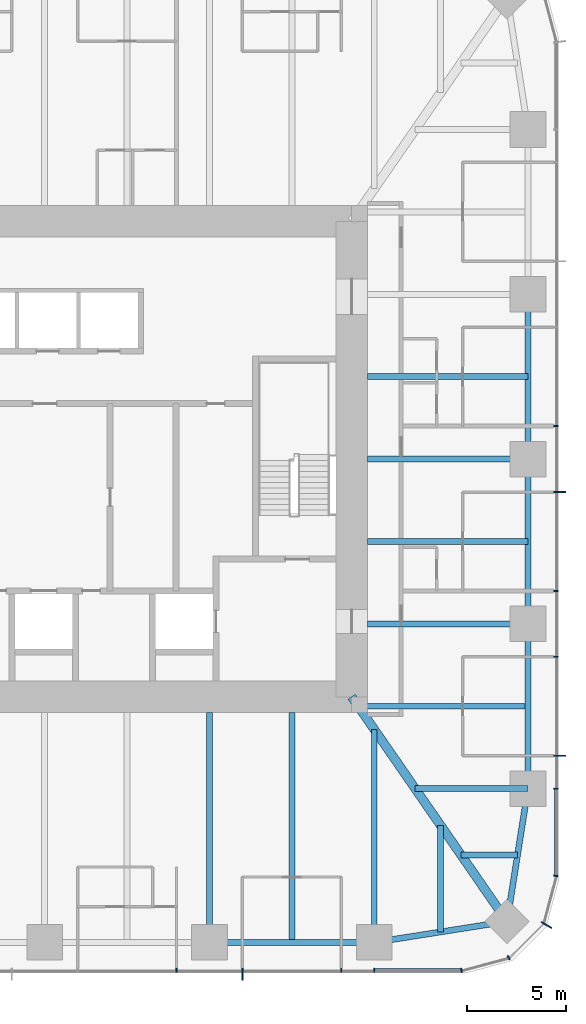
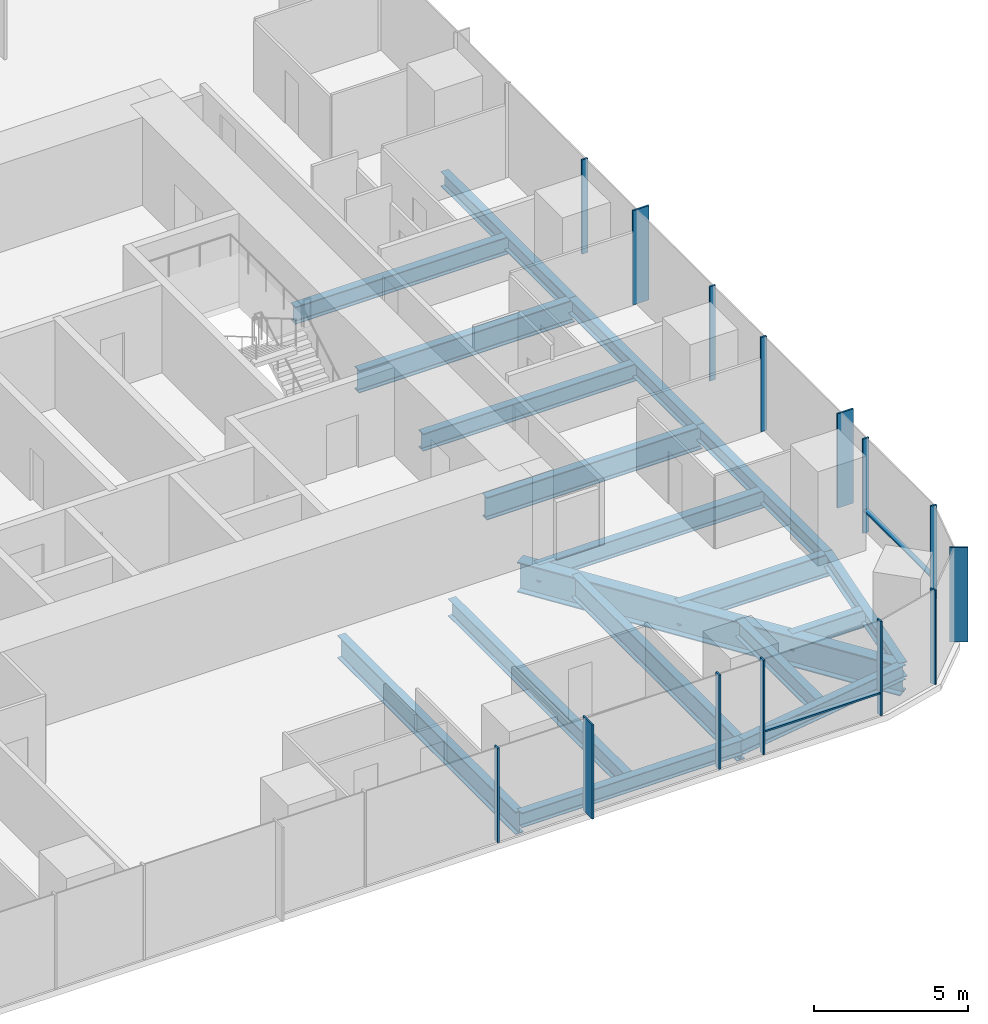
# One storey, part 4 of 12: 18 beams, 16 members, 3 elements without a shape of their own.
"""IFC4 building model written with IfcOpenShell, lengths in metres."""

from ifc_helpers import new_model, si_unit, direction, frame, origin, origin_2d, place, context, subcontext, project, spatial, rectangle, i_section, extrude, material, material_profile, profile_set, type_object, element, aggregate, save


model = new_model("IFC4")

# Units and contexts
model_context = context("Model", 3, precision=1e-05, world=origin(), true_north=direction((0.0, 1.0)))
body_context = subcontext(model_context, "Body", "Model", "MODEL_VIEW")
ifc_project = project(units=[si_unit("LENGTHUNIT", "METRE"), si_unit("AREAUNIT", "SQUARE_METRE"), si_unit("VOLUMEUNIT", "CUBIC_METRE"), si_unit("PLANEANGLEUNIT", "RADIAN"), si_unit("MASSUNIT", "GRAM", prefix="KILO")], contexts=[model_context])

# Site, building, storey
site_placement = place(None, origin())
site = spatial("IfcSite", under=ifc_project, at=site_placement, CompositionType="ELEMENT")
building_placement = place(site_placement, origin())
building = spatial("IfcBuilding", under=site, at=building_placement, Name="Khuree Lantern Residences", CompositionType="ELEMENT")
storey_placement = place(building_placement, frame((0.0, 0.0, 244.5)))
storey = spatial("IfcBuildingStorey", under=building, at=storey_placement, Name="L61", CompositionType="ELEMENT", Elevation=244.5)

# Beams
ifc_material_1 = material(Name="Steel S355", Category="steel")
ifc_material_profile_1 = material_profile(ifc_material_1, i_section(OverallWidth=0.300048828125, OverallDepth=0.68994140625, WebThickness=0.014404296875, FlangeThickness=0.027099609375, FilletRadius=0.027099609375, at=origin_2d()), Name="HE 700 A")
ifc_profile_set_1 = profile_set([ifc_material_profile_1], Name="Steel S355")
beam_type_1 = type_object("IfcBeamType", Name="B-34 SECONDARY BEAM HE 700 A", PredefinedType="BEAM", material=ifc_profile_set_1)
for number, where, z_axis, x_axis, name in (
    (1, (24.39990234375, 4.159912109375, -0.594970703125), (-1.0, 0.0, 0.0), (0.0, -1.0, 0.0), "Secondary beam E3"),
    (2, (24.39990234375, -4.159912109375, -0.594970703125), (-1.0, 0.0, 0.0), (0.0, -1.0, 0.0), "Secondary beam E4"),
):
    element("IfcBeam", number, at=place(storey_placement, frame(where, z_axis=z_axis, x_axis=x_axis)), inside=storey, type_object=beam_type_1, Name=name, PredefinedType="BEAM", context=body_context, shape_type="SweptSolid", body=[
        extrude(i_section(OverallWidth=0.300048828125, OverallDepth=0.68994140625, WebThickness=0.014404296875, FlangeThickness=0.027099609375, FilletRadius=0.027099609375, at=origin_2d()), origin(), (0.0, 0.0, 1.0), 8.099853515625),
    ])
beam_1_placement = place(storey_placement, frame((24.39990234375, -12.47998046875, -0.594970703125), z_axis=(-1.0, 0.0, 0.0), x_axis=(0.0, -1.0, 0.0)))
element("IfcBeam", 3, at=beam_1_placement, inside=storey, type_object=beam_type_1, Name="Secondary beam E5", PredefinedType="BEAM", context=body_context, shape_type="SweptSolid", body=[
    extrude(i_section(OverallWidth=0.300048828125, OverallDepth=0.68994140625, WebThickness=0.014404296875, FlangeThickness=0.027099609375, FilletRadius=0.027099609375, at=origin_2d()), origin(), (0.0, 0.0, 1.0), 8.56787109375),
])
beam_2_placement = place(storey_placement, frame((23.872802734375, -19.992919921875, -0.594970703125), z_axis=(-1.0, 0.0, 0.0), x_axis=(0.0, -1.0, 0.0)))
element("IfcBeam", 4, at=beam_2_placement, inside=storey, type_object=beam_type_1, Name="Secondary beam E6", PredefinedType="BEAM", context=body_context, shape_type="SweptSolid", body=[
    extrude(i_section(OverallWidth=0.300048828125, OverallDepth=0.68994140625, WebThickness=0.014404296875, FlangeThickness=0.027099609375, FilletRadius=0.027099609375, at=origin_2d()), origin(), (0.0, 0.0, 1.0), 2.845703125),
])
beam_3_placement = place(storey_placement, frame((19.992919921875, -23.872802734375, -0.594970703125), z_axis=(0.0, 1.0, 0.0), x_axis=(-1.0, 0.0, 0.0)))
element("IfcBeam", 5, at=beam_3_placement, inside=storey, type_object=beam_type_1, Name="Secondary beam S1", PredefinedType="BEAM", context=body_context, shape_type="SweptSolid", body=[
    extrude(i_section(OverallWidth=0.300048828125, OverallDepth=0.68994140625, WebThickness=0.014404296875, FlangeThickness=0.027099609375, FilletRadius=0.027099609375, at=origin_2d()), origin(), (0.0, 0.0, 1.0), 5.375732421875),
])
beam_4_placement = place(storey_placement, frame((12.47998046875, -24.39990234375, -0.594970703125), z_axis=(0.0, 1.0, 0.0), x_axis=(-1.0, 0.0, 0.0)))
element("IfcBeam", 6, at=beam_4_placement, inside=storey, type_object=beam_type_1, Name="Secondary beam S2", PredefinedType="BEAM", context=body_context, shape_type="SweptSolid", body=[
    extrude(i_section(OverallWidth=0.300048828125, OverallDepth=0.68994140625, WebThickness=0.014404296875, FlangeThickness=0.027099609375, FilletRadius=0.027099609375, at=origin_2d()), origin(), (0.0, 0.0, 1.0), 11.599853515625),
])
ifc_material_profile_2 = material_profile(ifc_material_1, i_section(OverallWidth=0.300048828125, OverallDepth=0.590087890625, WebThickness=0.012939453125, FlangeThickness=0.02490234375, FilletRadius=0.027099609375, at=origin_2d()), Name="HE 600 A")
ifc_profile_set_2 = profile_set([ifc_material_profile_2], Name="Steel S355")
beam_type_2 = type_object("IfcBeamType", Name="E-34 SPANDREL BEAM HE 600 A", PredefinedType="SPANDREL", material=ifc_profile_set_2)
for number, where, z_axis, x_axis, name in (
    (7, (24.39990234375, 8.320068359375, -0.544921875), (0.0, -1.0, 0.0), (1.0, 0.0, 0.0), "Spandrel beam E3"),
    (8, (24.39990234375, 0.0, -0.544921875), (0.0, -1.0, 0.0), (1.0, 0.0, 0.0), "Spandrel beam E4"),
):
    element("IfcBeam", number, at=place(storey_placement, frame(where, z_axis=z_axis, x_axis=x_axis)), inside=storey, type_object=beam_type_2, Name=name, PredefinedType="SPANDREL", context=body_context, shape_type="SweptSolid", body=[
        extrude(i_section(OverallWidth=0.300048828125, OverallDepth=0.590087890625, WebThickness=0.012939453125, FlangeThickness=0.02490234375, FilletRadius=0.027099609375, at=origin_2d()), origin(), (0.0, 0.0, 1.0), 8.320068359375),
    ])
beam_5_placement = place(storey_placement, frame((24.39990234375, -8.320068359375, -0.544921875), z_axis=(0.0, -1.0, 0.0), x_axis=(1.0, 0.0, 0.0)))
element("IfcBeam", 9, at=beam_5_placement, inside=storey, type_object=beam_type_2, Name="Spandrel beam E5", PredefinedType="SPANDREL", context=body_context, shape_type="SweptSolid", body=[
    extrude(i_section(OverallWidth=0.300048828125, OverallDepth=0.590087890625, WebThickness=0.012939453125, FlangeThickness=0.02490234375, FilletRadius=0.027099609375, at=origin_2d()), origin(), (0.0, 0.0, 1.0), 8.31982421875),
])
for number, where, z_axis, x_axis, name in (
    (10, (24.39990234375, -16.639892578125, -0.544921875), (-0.155299507442, -0.98786743189, 0.0), (0.98786743189, -0.155299507442, 0.0), "Spandrel beam E6"),
    (11, (23.345703125, -23.345703125, -0.544921875), (-0.98786743189, -0.155299507442, 0.0), (0.155299507442, -0.98786743189, 0.0), "Spandrel beam S1"),
):
    element("IfcBeam", number, at=place(storey_placement, frame(where, z_axis=z_axis, x_axis=x_axis)), inside=storey, type_object=beam_type_2, Name=name, PredefinedType="SPANDREL", context=body_context, shape_type="SweptSolid", body=[
        extrude(i_section(OverallWidth=0.300048828125, OverallDepth=0.590087890625, WebThickness=0.012939453125, FlangeThickness=0.02490234375, FilletRadius=0.027099609375, at=origin_2d()), origin(), (0.0, 0.0, 1.0), 6.7880859375),
    ])
beam_6_placement = place(storey_placement, frame((16.639892578125, -24.39990234375, -0.544921875), z_axis=(-1.0, 0.0, 0.0), x_axis=(0.0, -1.0, 0.0)))
element("IfcBeam", 12, at=beam_6_placement, inside=storey, type_object=beam_type_2, Name="Spandrel beam S2", PredefinedType="SPANDREL", context=body_context, shape_type="SweptSolid", body=[
    extrude(i_section(OverallWidth=0.300048828125, OverallDepth=0.590087890625, WebThickness=0.012939453125, FlangeThickness=0.02490234375, FilletRadius=0.027099609375, at=origin_2d()), origin(), (0.0, 0.0, 1.0), 8.31982421875),
])

# Curtain wall, member
ifc_material_2 = material(Name="Bronze anodised aluminium", Category="aluminium")
curtain_wall_type_1 = type_object("IfcCurtainWallType", Name="CW-T2 TOWER CORNER CURTAIN WALL", PredefinedType="USERDEFINED", material=ifc_material_2)
curtain_wall_1_placement = place(storey_placement, origin())
curtain_wall_1 = element("IfcCurtainWall", 13, at=curtain_wall_1_placement, inside=storey, type_object=curtain_wall_type_1, Name="L61 SOUTH-EAST CORNER CURTAIN WALL", ObjectType="Faceted corner curtain wall", PredefinedType="USERDEFINED")
ifc_material_profile_3 = material_profile(ifc_material_2, rectangle(XDim=0.06494140625, YDim=0.60009765625, at=origin_2d()), Name="F1 65X600")
ifc_profile_set_3 = profile_set([ifc_material_profile_3], Name="Bronze anodised aluminium")
member_type_1 = type_object("IfcMemberType", Name="F1 BRONZE FIN MULLION TOWER 65X600", PredefinedType="MULLION", material=ifc_profile_set_3)
member_1_placement = place(storey_placement, frame((25.3369140625, -23.52490234375, 0.0), z_axis=(0.0, 0.0, 1.0), x_axis=(0.499999989586, 0.866025409797, 0.0)))
member_1 = element("IfcMember", 14, at=member_1_placement, type_object=member_type_1, Name="L61 SOUTH-EAST CORNER FIN MULLION 3", PredefinedType="MULLION", context=body_context, shape_type="SweptSolid", body=[
    extrude(rectangle(XDim=0.06494140625, YDim=0.60009765625, at=origin_2d()), origin(), (0.0, 0.0, 1.0), 3.75),
])

# Curtain wall, members
curtain_wall_type_2 = type_object("IfcCurtainWallType", Name="CW-T1 TOWER FACE CURTAIN WALL", PredefinedType="USERDEFINED", material=ifc_material_2)
curtain_wall_2_placement = place(storey_placement, origin())
curtain_wall_2 = element("IfcCurtainWall", 15, at=curtain_wall_2_placement, inside=storey, type_object=curtain_wall_type_2, Name="L61 EAST FACE CURTAIN WALL", ObjectType="Stick-built curtain wall", PredefinedType="USERDEFINED")
member_2_placement = place(storey_placement, frame((26.0, -14.97607421875, 0.0), z_axis=(0.0, 0.0, 1.0), x_axis=(0.0, 1.0, 0.0)))
member_2 = element("IfcMember", 16, at=member_2_placement, type_object=member_type_1, Name="L61 EAST FACE FIN MULLION 6", PredefinedType="MULLION", context=body_context, shape_type="SweptSolid", body=[
    extrude(rectangle(XDim=0.06494140625, YDim=0.60009765625, at=origin_2d()), origin(), (0.0, 0.0, 1.0), 3.75),
])
member_3_placement = place(storey_placement, frame((26.0, -1.6640625, 0.0), z_axis=(0.0, 0.0, 1.0), x_axis=(0.0, 1.0, 0.0)))
member_3 = element("IfcMember", 17, at=member_3_placement, type_object=member_type_1, Name="L61 EAST FACE FIN MULLION 9", PredefinedType="MULLION", context=body_context, shape_type="SweptSolid", body=[
    extrude(rectangle(XDim=0.06494140625, YDim=0.60009765625, at=origin_2d()), origin(), (0.0, 0.0, 1.0), 3.75),
])

# Curtain wall, member
curtain_wall_3_placement = place(storey_placement, origin())
curtain_wall_3 = element("IfcCurtainWall", 18, at=curtain_wall_3_placement, inside=storey, type_object=curtain_wall_type_2, Name="L61 SOUTH FACE CURTAIN WALL", ObjectType="Stick-built curtain wall", PredefinedType="USERDEFINED")
member_4_placement = place(storey_placement, frame((9.98388671875, -26.0, 0.0), z_axis=(0.0, 0.0, 1.0), x_axis=(1.0, 0.0, 0.0)))
member_4 = element("IfcMember", 19, at=member_4_placement, type_object=member_type_1, Name="L61 SOUTH FACE FIN MULLION 54", PredefinedType="MULLION", context=body_context, shape_type="SweptSolid", body=[
    extrude(rectangle(XDim=0.06494140625, YDim=0.60009765625, at=origin_2d()), origin(), (0.0, 0.0, 1.0), 3.75),
])

# Beams
ifc_material_profile_4 = material_profile(ifc_material_1, i_section(OverallWidth=0.300048828125, OverallDepth=0.89990234375, WebThickness=0.0185546875, FlangeThickness=0.034912109375, FilletRadius=0.030029296875, at=origin_2d()), Name="HE 900 B")
ifc_profile_set_4 = profile_set([ifc_material_profile_4], Name="Steel S355")
beam_type_3 = type_object("IfcBeamType", Name="G-34 GIRDER HE 900 B", PredefinedType="BEAM", material=ifc_profile_set_4)
for number, where, z_axis, x_axis, name in (
    (20, (24.39990234375, 0.0, -0.699951171875), (-1.0, 0.0, 0.0), (0.0, -1.0, 0.0), "Girder E3"),
    (21, (24.39990234375, -8.320068359375, -0.699951171875), (-1.0, 0.0, 0.0), (0.0, -1.0, 0.0), "Girder E4"),
):
    element("IfcBeam", number, at=place(storey_placement, frame(where, z_axis=z_axis, x_axis=x_axis)), inside=storey, type_object=beam_type_3, Name=name, PredefinedType="BEAM", context=body_context, shape_type="SweptSolid", body=[
        extrude(i_section(OverallWidth=0.300048828125, OverallDepth=0.89990234375, WebThickness=0.0185546875, FlangeThickness=0.034912109375, FilletRadius=0.030029296875, at=origin_2d()), origin(), (0.0, 0.0, 1.0), 8.099853515625),
    ])
beam_7_placement = place(storey_placement, frame((24.39990234375, -16.639892578125, -0.699951171875), z_axis=(-1.0, 0.0, 0.0), x_axis=(0.0, -1.0, 0.0)))
element("IfcBeam", 22, at=beam_7_placement, inside=storey, type_object=beam_type_3, Name="Girder E5", PredefinedType="BEAM", context=body_context, shape_type="SweptSolid", body=[
    extrude(i_section(OverallWidth=0.300048828125, OverallDepth=0.89990234375, WebThickness=0.0185546875, FlangeThickness=0.034912109375, FilletRadius=0.030029296875, at=origin_2d()), origin(), (0.0, 0.0, 1.0), 5.69140625),
])
beam_8_placement = place(storey_placement, frame((16.639892578125, -24.39990234375, -0.699951171875), z_axis=(0.0, 1.0, 0.0), x_axis=(-1.0, 0.0, 0.0)))
element("IfcBeam", 23, at=beam_8_placement, inside=storey, type_object=beam_type_3, Name="Girder S1", PredefinedType="BEAM", context=body_context, shape_type="SweptSolid", body=[
    extrude(i_section(OverallWidth=0.300048828125, OverallDepth=0.89990234375, WebThickness=0.0185546875, FlangeThickness=0.034912109375, FilletRadius=0.030029296875, at=origin_2d()), origin(), (0.0, 0.0, 1.0), 10.751220703125),
])
beam_9_placement = place(storey_placement, frame((8.320068359375, -24.39990234375, -0.699951171875), z_axis=(0.0, 1.0, 0.0), x_axis=(-1.0, 0.0, 0.0)))
element("IfcBeam", 24, at=beam_9_placement, inside=storey, type_object=beam_type_3, Name="Girder S2", PredefinedType="BEAM", context=body_context, shape_type="SweptSolid", body=[
    extrude(i_section(OverallWidth=0.300048828125, OverallDepth=0.89990234375, WebThickness=0.0185546875, FlangeThickness=0.034912109375, FilletRadius=0.030029296875, at=origin_2d()), origin(), (0.0, 0.0, 1.0), 11.599853515625),
])
ifc_material_profile_5 = material_profile(ifc_material_1, i_section(OverallWidth=0.449951171875, OverallDepth=1.199951171875, WebThickness=0.02490234375, FlangeThickness=0.044921875, at=origin_2d()), Name="WELDED I 1200X450X25X45")
ifc_profile_set_5 = profile_set([ifc_material_profile_5], Name="Steel S355")
beam_type_4 = type_object("IfcBeamType", Name="GD-34 CORNER GIRDER WELDED I 1200X450X25X45", PredefinedType="BEAM", material=ifc_profile_set_5)
beam_10_placement = place(storey_placement, frame((23.345703125, -23.345703125, -0.85009765625), z_axis=(-0.56876813501, 0.822497907959, 0.0), x_axis=(-0.822497907959, -0.56876813501, 0.0)))
element("IfcBeam", 25, at=beam_10_placement, inside=storey, type_object=beam_type_4, Name="Corner girder SE", PredefinedType="BEAM", context=body_context, shape_type="SweptSolid", body=[
    extrude(i_section(OverallWidth=0.449951171875, OverallDepth=1.199951171875, WebThickness=0.02490234375, FlangeThickness=0.044921875, at=origin_2d()), origin(), (0.0, 0.0, 1.0), 13.794189453125),
])

# Member
ifc_material_profile_6 = material_profile(ifc_material_2, rectangle(XDim=0.06494140625, YDim=0.219970703125, at=origin_2d()), Name="M1 65X220")
ifc_profile_set_6 = profile_set([ifc_material_profile_6], Name="Bronze anodised aluminium")
member_type_2 = type_object("IfcMemberType", Name="M1 BRONZE MULLION TOWER 65X220", PredefinedType="MULLION", material=ifc_profile_set_6)
member_5_placement = place(storey_placement, frame((21.044921875, -25.811767578125, 0.0), z_axis=(0.0, 0.0, 1.0), x_axis=(0.991444862943, 0.130526180298, 0.0)))
member_5 = element("IfcMember", 26, at=member_5_placement, type_object=member_type_2, Name="L61 SOUTH-EAST CORNER MULLION 1", PredefinedType="MULLION", context=body_context, shape_type="SweptSolid", body=[
    extrude(rectangle(XDim=0.06494140625, YDim=0.219970703125, at=origin_2d()), origin(), (0.0, 0.0, 1.0), 3.75),
])

member_6_placement = place(storey_placement, frame((23.429931640625, -25.17236328125, 0.0), z_axis=(0.0, 0.0, 1.0), x_axis=(0.866025409797, 0.499999989586, 0.0)))
member_6 = element("IfcMember", 27, at=member_6_placement, type_object=member_type_2, Name="L61 SOUTH-EAST CORNER MULLION 2", PredefinedType="MULLION", context=body_context, shape_type="SweptSolid", body=[
    extrude(rectangle(XDim=0.06494140625, YDim=0.219970703125, at=origin_2d()), origin(), (0.0, 0.0, 1.0), 3.75),
])

aggregate(curtain_wall_1, [member_5, member_6, member_1])

member_7_placement = place(storey_placement, frame((25.811767578125, -21.044921875, 0.0), z_axis=(0.0, 0.0, 1.0), x_axis=(0.130526180298, 0.991444862943, 0.0)))
member_7 = element("IfcMember", 28, at=member_7_placement, type_object=member_type_2, Name="L61 EAST FACE MULLION 4", PredefinedType="MULLION", context=body_context, shape_type="SweptSolid", body=[
    extrude(rectangle(XDim=0.06494140625, YDim=0.219970703125, at=origin_2d()), origin(), (0.0, 0.0, 1.0), 3.75),
])

member_8_placement = place(storey_placement, frame((25.81005859375, -16.639892578125, 0.0), z_axis=(0.0, 0.0, 1.0), x_axis=(0.0, 1.0, 0.0)))
member_8 = element("IfcMember", 29, at=member_8_placement, type_object=member_type_2, Name="L61 EAST FACE MULLION 5", PredefinedType="MULLION", context=body_context, shape_type="SweptSolid", body=[
    extrude(rectangle(XDim=0.06494140625, YDim=0.219970703125, at=origin_2d()), origin(), (0.0, 0.0, 1.0), 3.75),
])

member_9_placement = place(storey_placement, frame((25.81005859375, -9.98388671875, 0.0), z_axis=(0.0, 0.0, 1.0), x_axis=(0.0, 1.0, 0.0)))
member_9 = element("IfcMember", 30, at=member_9_placement, type_object=member_type_2, Name="L61 EAST FACE MULLION 7", PredefinedType="MULLION", context=body_context, shape_type="SweptSolid", body=[
    extrude(rectangle(XDim=0.06494140625, YDim=0.219970703125, at=origin_2d()), origin(), (0.0, 0.0, 1.0), 3.75),
])

member_10_placement = place(storey_placement, frame((25.81005859375, -6.656005859375, 0.0), z_axis=(0.0, 0.0, 1.0), x_axis=(0.0, 1.0, 0.0)))
member_10 = element("IfcMember", 31, at=member_10_placement, type_object=member_type_2, Name="L61 EAST FACE MULLION 8", PredefinedType="MULLION", context=body_context, shape_type="SweptSolid", body=[
    extrude(rectangle(XDim=0.06494140625, YDim=0.219970703125, at=origin_2d()), origin(), (0.0, 0.0, 1.0), 3.75),
])

member_11_placement = place(storey_placement, frame((25.81005859375, 1.6640625, 0.0), z_axis=(0.0, 0.0, 1.0), x_axis=(0.0, 1.0, 0.0)))
member_11 = element("IfcMember", 32, at=member_11_placement, type_object=member_type_2, Name="L61 EAST FACE MULLION 10", PredefinedType="MULLION", context=body_context, shape_type="SweptSolid", body=[
    extrude(rectangle(XDim=0.06494140625, YDim=0.219970703125, at=origin_2d()), origin(), (0.0, 0.0, 1.0), 3.75),
])

member_12_placement = place(storey_placement, frame((6.656005859375, -25.81005859375, 0.0), z_axis=(0.0, 0.0, 1.0), x_axis=(1.0, 0.0, 0.0)))
member_12 = element("IfcMember", 33, at=member_12_placement, type_object=member_type_2, Name="L61 SOUTH FACE MULLION 53", PredefinedType="MULLION", context=body_context, shape_type="SweptSolid", body=[
    extrude(rectangle(XDim=0.06494140625, YDim=0.219970703125, at=origin_2d()), origin(), (0.0, 0.0, 1.0), 3.75),
])

member_13_placement = place(storey_placement, frame((14.97607421875, -25.81005859375, 0.0), z_axis=(0.0, 0.0, 1.0), x_axis=(1.0, 0.0, 0.0)))
member_13 = element("IfcMember", 34, at=member_13_placement, type_object=member_type_2, Name="L61 SOUTH FACE MULLION 55", PredefinedType="MULLION", context=body_context, shape_type="SweptSolid", body=[
    extrude(rectangle(XDim=0.06494140625, YDim=0.219970703125, at=origin_2d()), origin(), (0.0, 0.0, 1.0), 3.75),
])

member_14_placement = place(storey_placement, frame((16.639892578125, -25.81005859375, 0.0), z_axis=(0.0, 0.0, 1.0), x_axis=(1.0, 0.0, 0.0)))
member_14 = element("IfcMember", 35, at=member_14_placement, type_object=member_type_2, Name="L61 SOUTH FACE MULLION 56", PredefinedType="MULLION", context=body_context, shape_type="SweptSolid", body=[
    extrude(rectangle(XDim=0.06494140625, YDim=0.219970703125, at=origin_2d()), origin(), (0.0, 0.0, 1.0), 3.75),
])

ifc_material_profile_7 = material_profile(ifc_material_2, rectangle(XDim=0.179931640625, YDim=0.06494140625, at=origin_2d()), Name="T1 180X65")
ifc_profile_set_7 = profile_set([ifc_material_profile_7], Name="Bronze anodised aluminium")
member_type_3 = type_object("IfcMemberType", Name="TRANSOM T1 TOWER 180X65", PredefinedType="USERDEFINED", material=ifc_profile_set_7)
member_15_placement = place(storey_placement, frame((25.820068359375, -21.00146484375, 0.89990234375), z_axis=(0.0, 1.0, 0.0), x_axis=(-1.0, 0.0, 0.0)))
member_15 = element("IfcMember", 36, at=member_15_placement, type_object=member_type_3, Name="L61 EAST FACE TRANSOM 4.1", ObjectType="Transom", PredefinedType="USERDEFINED", context=body_context, shape_type="SweptSolid", body=[
    extrude(rectangle(XDim=0.179931640625, YDim=0.06494140625, at=origin_2d()), origin(), (0.0, 0.0, 1.0), 4.328857421875),
])

aggregate(curtain_wall_2, [member_7, member_8, member_2, member_9, member_10, member_3, member_11, member_15])

member_16_placement = place(storey_placement, frame((16.672607421875, -25.820068359375, 0.89990234375), z_axis=(1.0, 0.0, 0.0), x_axis=(0.0, 1.0, 0.0)))
member_16 = element("IfcMember", 37, at=member_16_placement, type_object=member_type_3, Name="L61 SOUTH FACE TRANSOM 56.1", ObjectType="Transom", PredefinedType="USERDEFINED", context=body_context, shape_type="SweptSolid", body=[
    extrude(rectangle(XDim=0.179931640625, YDim=0.06494140625, at=origin_2d()), origin(), (0.0, 0.0, 1.0), 4.328857421875),
])

aggregate(curtain_wall_3, [member_12, member_4, member_13, member_14, member_16])

save(model, "model.ifc")
